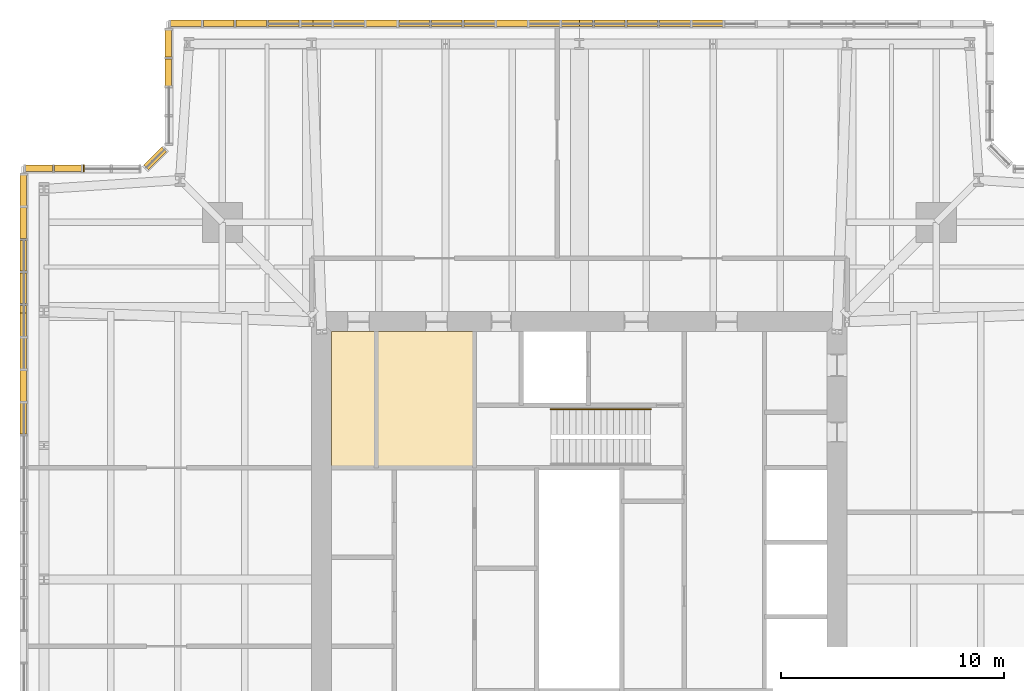
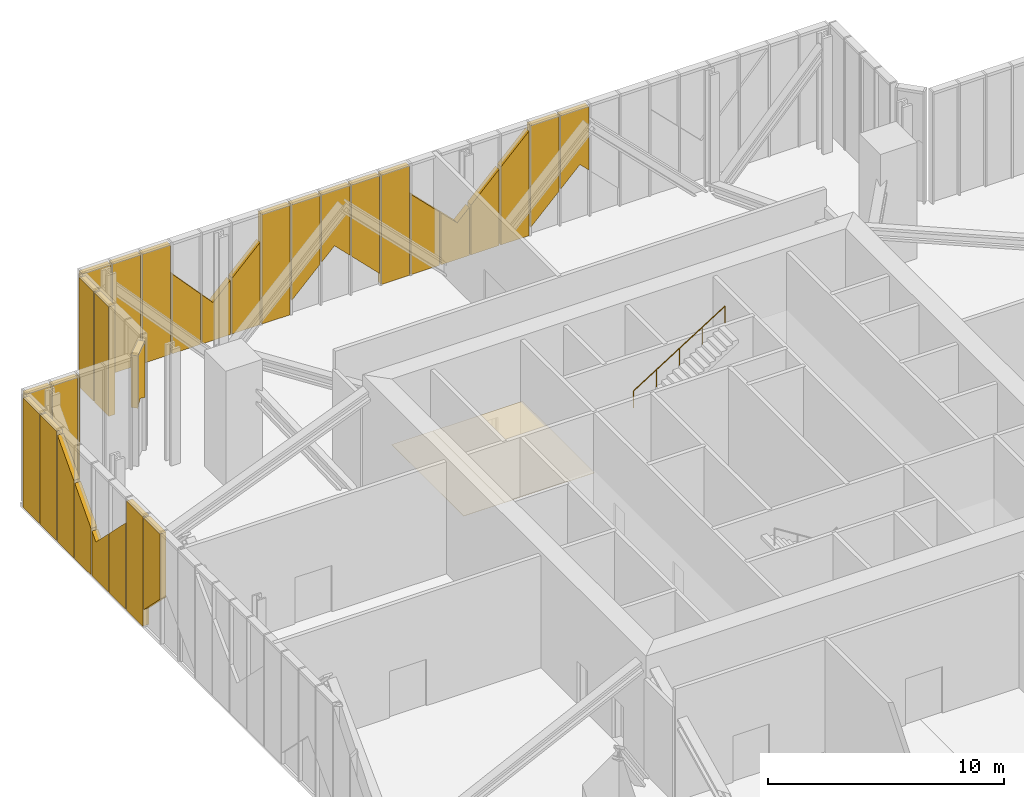
# One storey, part 17 of 18: 33 coverings, 1 railing.
"""IFC4 building model written with IfcOpenShell, lengths in metres."""

from ifc_helpers import new_model, si_unit, direction, frame, origin, origin_2d, place, context, subcontext, project, spatial, polyline, circle, outline, extrude, material, layer, layer_set, type_object, element, save


model = new_model("IFC4")

# Units and contexts
model_context = context("Model", 3, precision=1e-05, world=origin(), true_north=direction((0.0, 1.0)))
body_context = subcontext(model_context, "Body", "Model", "MODEL_VIEW")
ifc_project = project(units=[si_unit("LENGTHUNIT", "METRE"), si_unit("AREAUNIT", "SQUARE_METRE"), si_unit("VOLUMEUNIT", "CUBIC_METRE"), si_unit("PLANEANGLEUNIT", "RADIAN"), si_unit("MASSUNIT", "GRAM", prefix="KILO")], contexts=[model_context])

# Site, building, storey
site_placement = place(None, origin())
site = spatial("IfcSite", under=ifc_project, at=site_placement, CompositionType="ELEMENT")
building_placement = place(site_placement, origin())
building = spatial("IfcBuilding", under=site, at=building_placement, Name="Fenwick Lantern Interchange", CompositionType="ELEMENT")
storey_placement = place(building_placement, frame((0.0, 0.0, 301.800048828125)))
storey = spatial("IfcBuildingStorey", under=building, at=storey_placement, Name="L73", CompositionType="ELEMENT", Elevation=301.800048828125)

# Coverings
ifc_material_1 = material(Name="Granite cladding, warm grey flamed finish, on aluminium carrier frame", Category="masonry")
ifc_layer_1 = layer(ifc_material_1, 0.300048828125)
ifc_layer_set_1 = layer_set([ifc_layer_1], Name="BRACE CASING PANEL 300")
covering_type_1 = type_object("IfcCoveringType", Name="BRACE CASING PANEL 300", PredefinedType="CLADDING", material=ifc_layer_set_1)
covering_1_placement = place(storey_placement, frame((43.39990234375, 49.89990234375, 1.857177734375), z_axis=(0.0, 0.0, 1.0), x_axis=(-1.0, 0.0, 0.0)))
element("IfcCovering", 1, at=covering_1_placement, inside=storey, type_object=covering_type_1, Name="Brace casing 09 bay 08a", PredefinedType="CLADDING", context=body_context, shape_type="SweptSolid", body=[
    extrude(outline(polyline([(13.34716796875, 0.0), (13.34716796875, 3.802734375), (11.96630859375, 3.802734375), (11.96630859375, 0.513671875), (12.39990234375, 0.947265625), (13.34716796875, 0.0)])), frame((0.0, 0.125, 0.0), z_axis=(0.0, -1.0, 0.0), x_axis=(1.0, 0.0, 0.0)), (0.0, 0.0, 1.0), 0.300048828125),
])
covering_2_placement = place(storey_placement, frame((43.39990234375, 49.89990234375, 0.396484375), z_axis=(0.0, 0.0, 1.0), x_axis=(-1.0, 0.0, 0.0)))
element("IfcCovering", 2, at=covering_2_placement, inside=storey, type_object=covering_type_1, Name="Brace casing 09 bay 09a", PredefinedType="CLADDING", context=body_context, shape_type="SweptSolid", body=[
    extrude(outline(polyline([(14.80810546875, 0.0), (14.80810546875, 5.263427734375), (13.42724609375, 5.263427734375), (13.42724609375, 1.380615234375), (14.80810546875, 0.0)])), frame((0.0, 0.125, 0.0), z_axis=(0.0, -1.0, 0.0), x_axis=(1.0, 0.0, 0.0)), (0.0, 0.0, 1.0), 0.300048828125),
])
covering_3_placement = place(storey_placement, frame((43.39990234375, 49.89990234375, 0.0), z_axis=(0.0, 0.0, 1.0), x_axis=(-1.0, 0.0, 0.0)))
element("IfcCovering", 3, at=covering_3_placement, inside=storey, type_object=covering_type_1, Name="Brace casing 09 bay 10a", PredefinedType="CLADDING", context=body_context, shape_type="SweptSolid", body=[
    extrude(outline(polyline([(14.887939453125, 0.0), (16.268798828125, 0.0), (16.268798828125, 4.026611328125), (14.887939453125, 5.407470703125), (14.887939453125, 0.0)])), frame((0.0, 0.125, 0.0), z_axis=(0.0, -1.0, 0.0), x_axis=(1.0, 0.0, 0.0)), (0.0, 0.0, 1.0), 0.300048828125),
])
covering_4_placement = place(storey_placement, frame((43.39990234375, 49.89990234375, 0.0), z_axis=(0.0, 0.0, 1.0), x_axis=(-1.0, 0.0, 0.0)))
element("IfcCovering", 4, at=covering_4_placement, inside=storey, type_object=covering_type_1, Name="Brace casing 09 bay 11a", PredefinedType="CLADDING", context=body_context, shape_type="SweptSolid", body=[
    extrude(outline(polyline([(16.348876953125, 0.0), (17.7294921875, 0.0), (17.7294921875, 2.56591796875), (16.348876953125, 3.94677734375), (16.348876953125, 0.0)])), frame((0.0, 0.125, 0.0), z_axis=(0.0, -1.0, 0.0), x_axis=(1.0, 0.0, 0.0)), (0.0, 0.0, 1.0), 0.300048828125),
])
covering_5_placement = place(storey_placement, frame((43.39990234375, 49.89990234375, 0.0), z_axis=(0.0, 0.0, 1.0), x_axis=(-1.0, 0.0, 0.0)))
element("IfcCovering", 5, at=covering_5_placement, inside=storey, type_object=covering_type_1, Name="Brace casing 09 bay 12a", PredefinedType="CLADDING", context=body_context, shape_type="SweptSolid", body=[
    extrude(outline(polyline([(17.8095703125, 0.0), (19.1904296875, 0.0), (19.1904296875, 2.68603515625), (18.39990234375, 1.8955078125), (17.8095703125, 2.48583984375), (17.8095703125, 0.0)])), frame((0.0, 0.125, 0.0), z_axis=(0.0, -1.0, 0.0), x_axis=(1.0, 0.0, 0.0)), (0.0, 0.0, 1.0), 0.300048828125),
])
covering_6_placement = place(storey_placement, frame((43.39990234375, 49.89990234375, 0.0), z_axis=(0.0, 0.0, 1.0), x_axis=(-1.0, 0.0, 0.0)))
element("IfcCovering", 6, at=covering_6_placement, inside=storey, type_object=covering_type_1, Name="Brace casing 09 bay 13a", PredefinedType="CLADDING", context=body_context, shape_type="SweptSolid", body=[
    extrude(outline(polyline([(19.2705078125, 0.0), (20.651123046875, 0.0), (20.651123046875, 4.146728515625), (19.2705078125, 2.765869140625), (19.2705078125, 0.0)])), frame((0.0, 0.125, 0.0), z_axis=(0.0, -1.0, 0.0), x_axis=(1.0, 0.0, 0.0)), (0.0, 0.0, 1.0), 0.300048828125),
])
covering_7_placement = place(storey_placement, frame((43.39990234375, 49.89990234375, 0.0), z_axis=(0.0, 0.0, 1.0), x_axis=(-1.0, 0.0, 0.0)))
element("IfcCovering", 7, at=covering_7_placement, inside=storey, type_object=covering_type_1, Name="Brace casing 09 bay 14a", PredefinedType="CLADDING", context=body_context, shape_type="SweptSolid", body=[
    extrude(outline(polyline([(20.731201171875, 0.0), (22.112060546875, 0.0), (22.112060546875, 5.659912109375), (20.731201171875, 5.659912109375), (20.731201171875, 0.0)])), frame((0.0, 0.125, 0.0), z_axis=(0.0, -1.0, 0.0), x_axis=(1.0, 0.0, 0.0)), (0.0, 0.0, 1.0), 0.300048828125),
])
covering_8_placement = place(storey_placement, frame((43.39990234375, 49.89990234375, 0.596435546875), z_axis=(0.0, 0.0, 1.0), x_axis=(-1.0, 0.0, 0.0)))
element("IfcCovering", 8, at=covering_8_placement, inside=storey, type_object=covering_type_1, Name="Brace casing 09 bay 15a", PredefinedType="CLADDING", context=body_context, shape_type="SweptSolid", body=[
    extrude(outline(polyline([(22.19189453125, 0.0), (23.57275390625, 1.380859375), (23.57275390625, 5.0634765625), (22.19189453125, 5.0634765625), (22.19189453125, 0.0)])), frame((0.0, 0.125, 0.0), z_axis=(0.0, -1.0, 0.0), x_axis=(1.0, 0.0, 0.0)), (0.0, 0.0, 1.0), 0.300048828125),
])
covering_9_placement = place(storey_placement, frame((43.39990234375, 49.89990234375, 2.05712890625), z_axis=(0.0, 0.0, 1.0), x_axis=(-1.0, 0.0, 0.0)))
element("IfcCovering", 9, at=covering_9_placement, inside=storey, type_object=covering_type_1, Name="Brace casing 09 bay 16a", PredefinedType="CLADDING", context=body_context, shape_type="SweptSolid", body=[
    extrude(outline(polyline([(23.65283203125, 0.0), (24.39990234375, 0.747314453125), (25.03369140625, 0.11376953125), (25.03369140625, 3.602783203125), (23.65283203125, 3.602783203125), (23.65283203125, 0.0)])), frame((0.0, 0.125, 0.0), z_axis=(0.0, -1.0, 0.0), x_axis=(1.0, 0.0, 0.0)), (0.0, 0.0, 1.0), 0.300048828125),
])
covering_10_placement = place(storey_placement, frame((43.39990234375, 49.89990234375, 0.7099609375), z_axis=(0.0, 0.0, 1.0), x_axis=(-1.0, 0.0, 0.0)))
element("IfcCovering", 10, at=covering_10_placement, inside=storey, type_object=covering_type_1, Name="Brace casing 09 bay 17a", PredefinedType="CLADDING", context=body_context, shape_type="SweptSolid", body=[
    extrude(outline(polyline([(26.494384765625, 0.0), (26.494384765625, 4.949951171875), (25.113525390625, 4.949951171875), (25.113525390625, 1.380859375), (26.494384765625, 0.0)])), frame((0.0, 0.125, 0.0), z_axis=(0.0, -1.0, 0.0), x_axis=(1.0, 0.0, 0.0)), (0.0, 0.0, 1.0), 0.300048828125),
])
covering_11_placement = place(storey_placement, frame((43.39990234375, 49.89990234375, 0.0), z_axis=(0.0, 0.0, 1.0), x_axis=(-1.0, 0.0, 0.0)))
element("IfcCovering", 11, at=covering_11_placement, inside=storey, type_object=covering_type_1, Name="Brace casing 09 bay 18a", PredefinedType="CLADDING", context=body_context, shape_type="SweptSolid", body=[
    extrude(outline(polyline([(26.574462890625, 0.0), (27.955078125, 0.0), (27.955078125, 5.659912109375), (26.574462890625, 5.659912109375), (26.574462890625, 0.0)])), frame((0.0, 0.125, 0.0), z_axis=(0.0, -1.0, 0.0), x_axis=(1.0, 0.0, 0.0)), (0.0, 0.0, 1.0), 0.300048828125),
])
covering_12_placement = place(storey_placement, frame((43.39990234375, 49.89990234375, 0.0), z_axis=(0.0, 0.0, 1.0), x_axis=(-1.0, 0.0, 0.0)))
element("IfcCovering", 12, at=covering_12_placement, inside=storey, type_object=covering_type_1, Name="Brace casing 09 bay 19a", PredefinedType="CLADDING", context=body_context, shape_type="SweptSolid", body=[
    extrude(outline(polyline([(28.03515625, 0.0), (29.416015625, 0.0), (29.416015625, 2.879638671875), (28.03515625, 4.26025390625), (28.03515625, 0.0)])), frame((0.0, 0.125, 0.0), z_axis=(0.0, -1.0, 0.0), x_axis=(1.0, 0.0, 0.0)), (0.0, 0.0, 1.0), 0.300048828125),
])
covering_13_placement = place(storey_placement, frame((43.39990234375, 49.89990234375, 0.0), z_axis=(0.0, 0.0, 1.0), x_axis=(-1.0, 0.0, 0.0)))
element("IfcCovering", 13, at=covering_13_placement, inside=storey, type_object=covering_type_1, Name="Brace casing 09 bay 20a", PredefinedType="CLADDING", context=body_context, shape_type="SweptSolid", body=[
    extrude(outline(polyline([(29.49609375, 0.0), (30.876708984375, 0.0), (30.876708984375, 2.533935546875), (30.343505859375, 1.9521484375), (29.49609375, 2.799560546875), (29.49609375, 0.0)])), frame((0.0, 0.125, 0.0), z_axis=(0.0, -1.0, 0.0), x_axis=(1.0, 0.0, 0.0)), (0.0, 0.0, 1.0), 0.300048828125),
])
covering_14_placement = place(storey_placement, frame((43.39990234375, 49.89990234375, 0.0), z_axis=(0.0, 0.0, 1.0), x_axis=(-1.0, 0.0, 0.0)))
element("IfcCovering", 14, at=covering_14_placement, inside=storey, type_object=covering_type_1, Name="Brace casing 09 bay 21a", PredefinedType="CLADDING", context=body_context, shape_type="SweptSolid", body=[
    extrude(outline(polyline([(30.956787109375, 0.0), (32.337646484375, 0.0), (32.337646484375, 4.12744140625), (30.956787109375, 2.62109375), (30.956787109375, 0.0)])), frame((0.0, 0.125, 0.0), z_axis=(0.0, -1.0, 0.0), x_axis=(1.0, 0.0, 0.0)), (0.0, 0.0, 1.0), 0.300048828125),
])
covering_15_placement = place(storey_placement, frame((43.39990234375, 49.89990234375, 0.0), z_axis=(0.0, 0.0, 1.0), x_axis=(-1.0, 0.0, 0.0)))
element("IfcCovering", 15, at=covering_15_placement, inside=storey, type_object=covering_type_1, Name="Brace casing 09 bay 22a", PredefinedType="CLADDING", context=body_context, shape_type="SweptSolid", body=[
    extrude(outline(polyline([(32.41748046875, 0.0), (33.79833984375, 0.0), (33.79833984375, 5.659912109375), (32.41748046875, 5.659912109375), (32.41748046875, 0.0)])), frame((0.0, 0.125, 0.0), z_axis=(0.0, -1.0, 0.0), x_axis=(1.0, 0.0, 0.0)), (0.0, 0.0, 1.0), 0.300048828125),
])
covering_16_placement = place(storey_placement, frame((43.39990234375, 49.89990234375, 0.0), z_axis=(0.0, 0.0, 1.0), x_axis=(-1.0, 0.0, 0.0)))
element("IfcCovering", 16, at=covering_16_placement, inside=storey, type_object=covering_type_1, Name="Brace casing 09 bay 23a", PredefinedType="CLADDING", context=body_context, shape_type="SweptSolid", body=[
    extrude(outline(polyline([(33.87841796875, 0.0), (35.25927734375, 0.0), (35.25927734375, 5.659912109375), (33.87841796875, 5.659912109375), (33.87841796875, 0.0)])), frame((0.0, 0.125, 0.0), z_axis=(0.0, -1.0, 0.0), x_axis=(1.0, 0.0, 0.0)), (0.0, 0.0, 1.0), 0.300048828125),
])
covering_17_placement = place(storey_placement, frame((43.39990234375, 49.89990234375, 0.0), z_axis=(0.0, 0.0, 1.0), x_axis=(-1.0, 0.0, 0.0)))
element("IfcCovering", 17, at=covering_17_placement, inside=storey, type_object=covering_type_1, Name="Brace casing 09 bay 24a", PredefinedType="CLADDING", context=body_context, shape_type="SweptSolid", body=[
    extrude(outline(polyline([(35.339111328125, 0.0), (36.719970703125, 0.0), (36.719970703125, 5.659912109375), (35.339111328125, 5.659912109375), (35.339111328125, 0.0)])), frame((0.0, 0.125, 0.0), z_axis=(0.0, -1.0, 0.0), x_axis=(1.0, 0.0, 0.0)), (0.0, 0.0, 1.0), 0.300048828125),
])
covering_18_placement = place(storey_placement, frame((6.60009765625, 49.89990234375, 0.0), z_axis=(0.0, 0.0, 1.0), x_axis=(0.0, -1.0, 0.0)))
element("IfcCovering", 18, at=covering_18_placement, inside=storey, type_object=covering_type_1, Name="Brace casing 10 bay 00a", PredefinedType="CLADDING", context=body_context, shape_type="SweptSolid", body=[
    extrude(outline(polyline([(0.280029296875, 0.0), (1.490234375, 0.0), (1.490234375, 5.659912109375), (0.280029296875, 5.659912109375), (0.280029296875, 0.0)])), frame((0.0, 0.125, 0.0), z_axis=(0.0, -1.0, 0.0), x_axis=(1.0, 0.0, 0.0)), (0.0, 0.0, 1.0), 0.300048828125),
])
covering_19_placement = place(storey_placement, frame((6.60009765625, 49.89990234375, 0.0), z_axis=(0.0, 0.0, 1.0), x_axis=(0.0, -1.0, 0.0)))
element("IfcCovering", 19, at=covering_19_placement, inside=storey, type_object=covering_type_1, Name="Brace casing 10 bay 01a", PredefinedType="CLADDING", context=body_context, shape_type="SweptSolid", body=[
    extrude(outline(polyline([(1.5703125, 0.0), (2.78076171875, 0.0), (2.78076171875, 5.659912109375), (1.5703125, 5.659912109375), (1.5703125, 0.0)])), frame((0.0, 0.125, 0.0), z_axis=(0.0, -1.0, 0.0), x_axis=(1.0, 0.0, 0.0)), (0.0, 0.0, 1.0), 0.300048828125),
])
covering_20_placement = place(storey_placement, frame((6.60009765625, 44.45849609375, 2.746337890625), z_axis=(0.0, 0.0, 1.0), x_axis=(-0.707106781187, -0.707106781187, 0.0)))
element("IfcCovering", 20, at=covering_20_placement, inside=storey, type_object=covering_type_1, Name="Brace casing 11 bay 00a", PredefinedType="CLADDING", context=body_context, shape_type="SweptSolid", body=[
    extrude(outline(polyline([(0.280029296875, 0.0), (1.03076171875, 0.4541015625), (1.4169921875, 0.2021484375), (1.4169921875, 2.91357421875), (0.280029296875, 2.91357421875), (0.280029296875, 0.0)])), frame((0.0, 0.125, 0.0), z_axis=(0.0, -1.0, 0.0), x_axis=(1.0, 0.0, 0.0)), (0.0, 0.0, 1.0), 0.300048828125),
])
covering_21_placement = place(storey_placement, frame((5.54150390625, 43.39990234375, 0.0), z_axis=(0.0, 0.0, 1.0), x_axis=(-1.0, 0.0, 0.0)))
element("IfcCovering", 21, at=covering_21_placement, inside=storey, type_object=covering_type_1, Name="Brace casing 12 bay 01a", PredefinedType="CLADDING", context=body_context, shape_type="SweptSolid", body=[
    extrude(outline(polyline([(2.741455078125, 0.0), (2.78076171875, 0.0), (2.78076171875, 5.659912109375), (2.741455078125, 5.659912109375), (2.741455078125, 0.0)])), frame((0.0, 0.125, 0.0), z_axis=(0.0, -1.0, 0.0), x_axis=(1.0, 0.0, 0.0)), (0.0, 0.0, 1.0), 0.300048828125),
])
covering_22_placement = place(storey_placement, frame((5.54150390625, 43.39990234375, 0.0), z_axis=(0.0, 0.0, 1.0), x_axis=(-1.0, 0.0, 0.0)))
element("IfcCovering", 22, at=covering_22_placement, inside=storey, type_object=covering_type_1, Name="Brace casing 12 bay 02a", PredefinedType="CLADDING", context=body_context, shape_type="SweptSolid", body=[
    extrude(outline(polyline([(2.860595703125, 0.0), (4.071044921875, 0.0), (4.071044921875, 5.659912109375), (2.860595703125, 5.659912109375), (2.860595703125, 0.0)])), frame((0.0, 0.125, 0.0), z_axis=(0.0, -1.0, 0.0), x_axis=(1.0, 0.0, 0.0)), (0.0, 0.0, 1.0), 0.300048828125),
])
covering_23_placement = place(storey_placement, frame((5.54150390625, 43.39990234375, 0.0), z_axis=(0.0, 0.0, 1.0), x_axis=(-1.0, 0.0, 0.0)))
element("IfcCovering", 23, at=covering_23_placement, inside=storey, type_object=covering_type_1, Name="Brace casing 12 bay 03a", PredefinedType="CLADDING", context=body_context, shape_type="SweptSolid", body=[
    extrude(outline(polyline([(4.151123046875, 0.0), (5.361328125, 0.0), (5.361328125, 5.659912109375), (4.151123046875, 5.659912109375), (4.151123046875, 0.0)])), frame((0.0, 0.125, 0.0), z_axis=(0.0, -1.0, 0.0), x_axis=(1.0, 0.0, 0.0)), (0.0, 0.0, 1.0), 0.300048828125),
])
covering_24_placement = place(storey_placement, frame((0.10009765625, 43.39990234375, 0.0), z_axis=(0.0, 0.0, 1.0), x_axis=(0.0, -1.0, 0.0)))
element("IfcCovering", 24, at=covering_24_placement, inside=storey, type_object=covering_type_1, Name="Brace casing 13 bay 00a", PredefinedType="CLADDING", context=body_context, shape_type="SweptSolid", body=[
    extrude(outline(polyline([(0.280029296875, 0.0), (1.660888671875, 0.0), (1.660888671875, 5.659912109375), (0.280029296875, 5.659912109375), (0.280029296875, 0.0)])), frame((0.0, 0.125, 0.0), z_axis=(0.0, -1.0, 0.0), x_axis=(1.0, 0.0, 0.0)), (0.0, 0.0, 1.0), 0.300048828125),
])
covering_25_placement = place(storey_placement, frame((0.10009765625, 43.39990234375, 0.0), z_axis=(0.0, 0.0, 1.0), x_axis=(0.0, -1.0, 0.0)))
element("IfcCovering", 25, at=covering_25_placement, inside=storey, type_object=covering_type_1, Name="Brace casing 13 bay 01a", PredefinedType="CLADDING", context=body_context, shape_type="SweptSolid", body=[
    extrude(outline(polyline([(1.74072265625, 0.0), (3.12158203125, 0.0), (3.12158203125, 5.659912109375), (1.74072265625, 5.659912109375), (1.74072265625, 0.0)])), frame((0.0, 0.125, 0.0), z_axis=(0.0, -1.0, 0.0), x_axis=(1.0, 0.0, 0.0)), (0.0, 0.0, 1.0), 0.300048828125),
])
covering_26_placement = place(storey_placement, frame((0.10009765625, 43.39990234375, 0.0), z_axis=(0.0, 0.0, 1.0), x_axis=(0.0, -1.0, 0.0)))
element("IfcCovering", 26, at=covering_26_placement, inside=storey, type_object=covering_type_1, Name="Brace casing 13 bay 02a", PredefinedType="CLADDING", context=body_context, shape_type="SweptSolid", body=[
    extrude(outline(polyline([(3.20166015625, 0.0), (4.58251953125, 0.0), (4.58251953125, 3.99658203125), (3.20166015625, 5.5029296875), (3.20166015625, 0.0)])), frame((0.0, 0.125, 0.0), z_axis=(0.0, -1.0, 0.0), x_axis=(1.0, 0.0, 0.0)), (0.0, 0.0, 1.0), 0.300048828125),
])
covering_27_placement = place(storey_placement, frame((0.10009765625, 43.39990234375, 0.0), z_axis=(0.0, 0.0, 1.0), x_axis=(0.0, -1.0, 0.0)))
element("IfcCovering", 27, at=covering_27_placement, inside=storey, type_object=covering_type_1, Name="Brace casing 13 bay 03a", PredefinedType="CLADDING", context=body_context, shape_type="SweptSolid", body=[
    extrude(outline(polyline([(4.662353515625, 0.0), (6.043212890625, 0.0), (6.043212890625, 2.403076171875), (4.662353515625, 3.909423828125), (4.662353515625, 0.0)])), frame((0.0, 0.125, 0.0), z_axis=(0.0, -1.0, 0.0), x_axis=(1.0, 0.0, 0.0)), (0.0, 0.0, 1.0), 0.300048828125),
])
covering_28_placement = place(storey_placement, frame((0.10009765625, 43.39990234375, 0.0), z_axis=(0.0, 0.0, 1.0), x_axis=(0.0, -1.0, 0.0)))
element("IfcCovering", 28, at=covering_28_placement, inside=storey, type_object=covering_type_1, Name="Brace casing 13 bay 04a", PredefinedType="CLADDING", context=body_context, shape_type="SweptSolid", body=[
    extrude(outline(polyline([(6.123291015625, 0.0), (7.50390625, 0.0), (7.50390625, 2.99951171875), (6.45654296875, 1.9521484375), (6.123291015625, 2.315673828125), (6.123291015625, 0.0)])), frame((0.0, 0.125, 0.0), z_axis=(0.0, -1.0, 0.0), x_axis=(1.0, 0.0, 0.0)), (0.0, 0.0, 1.0), 0.300048828125),
])
covering_29_placement = place(storey_placement, frame((0.10009765625, 43.39990234375, 0.0), z_axis=(0.0, 0.0, 1.0), x_axis=(0.0, -1.0, 0.0)))
element("IfcCovering", 29, at=covering_29_placement, inside=storey, type_object=covering_type_1, Name="Brace casing 13 bay 05a", PredefinedType="CLADDING", context=body_context, shape_type="SweptSolid", body=[
    extrude(outline(polyline([(7.583984375, 0.0), (8.96484375, 0.0), (8.96484375, 4.460205078125), (7.583984375, 3.07958984375), (7.583984375, 0.0)])), frame((0.0, 0.125, 0.0), z_axis=(0.0, -1.0, 0.0), x_axis=(1.0, 0.0, 0.0)), (0.0, 0.0, 1.0), 0.300048828125),
])
covering_30_placement = place(storey_placement, frame((0.10009765625, 43.39990234375, 0.0), z_axis=(0.0, 0.0, 1.0), x_axis=(0.0, -1.0, 0.0)))
element("IfcCovering", 30, at=covering_30_placement, inside=storey, type_object=covering_type_1, Name="Brace casing 13 bay 06a", PredefinedType="CLADDING", context=body_context, shape_type="SweptSolid", body=[
    extrude(outline(polyline([(9.044921875, 0.0), (10.425537109375, 0.0), (10.425537109375, 5.659912109375), (9.044921875, 5.659912109375), (9.044921875, 0.0)])), frame((0.0, 0.125, 0.0), z_axis=(0.0, -1.0, 0.0), x_axis=(1.0, 0.0, 0.0)), (0.0, 0.0, 1.0), 0.300048828125),
])
covering_31_placement = place(storey_placement, frame((0.10009765625, 43.39990234375, 0.909912109375), z_axis=(0.0, 0.0, 1.0), x_axis=(0.0, -1.0, 0.0)))
element("IfcCovering", 31, at=covering_31_placement, inside=storey, type_object=covering_type_1, Name="Brace casing 13 bay 07a", PredefinedType="CLADDING", context=body_context, shape_type="SweptSolid", body=[
    extrude(outline(polyline([(10.505615234375, 0.0), (11.886474609375, 1.380859375), (11.886474609375, 4.75), (10.505615234375, 4.75), (10.505615234375, 0.0)])), frame((0.0, 0.125, 0.0), z_axis=(0.0, -1.0, 0.0), x_axis=(1.0, 0.0, 0.0)), (0.0, 0.0, 1.0), 0.300048828125),
])

# Railing
ifc_material_2 = material(Name="Stainless steel handrail", Category="steel")
railing_type = type_object("IfcRailingType", Name="HANDRAIL 900", PredefinedType="HANDRAIL", material=ifc_material_2)
railing_placement = place(storey_placement, frame((23.719970703125, 32.6259765625, 3.176513671875)))
element("IfcRailing", 32, at=railing_placement, inside=storey, type_object=railing_type, Name="L73/STAIR/ST2/HR2", PredefinedType="HANDRAIL", context=body_context, shape_type="SweptSolid", body=[
    extrude(circle(Radius=0.02392578125, at=origin_2d()), frame((0.0, 0.0, 0.8759765625), z_axis=(0.845997938375, 0.0, 0.533186166611), x_axis=(0.0, 1.0, 0.0)), (0.0, 0.0, 1.0), 5.29541015625),
    extrude(circle(Radius=0.02099609375, at=origin_2d()), origin(), (0.0, 0.0, 1.0), 0.851806640625),
    extrude(circle(Radius=0.02099609375, at=origin_2d()), frame((1.1201171875, 0.0, 0.705810546875)), (0.0, 0.0, 1.0), 0.851806640625),
    extrude(circle(Radius=0.02099609375, at=origin_2d()), frame((2.239990234375, 0.0, 1.41162109375)), (0.0, 0.0, 1.0), 0.851806640625),
    extrude(circle(Radius=0.02099609375, at=origin_2d()), frame((3.35986328125, 0.0, 2.11767578125)), (0.0, 0.0, 1.0), 0.851806640625),
    extrude(circle(Radius=0.02099609375, at=origin_2d()), frame((4.47998046875, 0.0, 2.823486328125)), (0.0, 0.0, 1.0), 0.851806640625),
])

# Coverings
ifc_material_3 = material(Name="Moisture resistant gypsum board on suspended frame, painted")
ifc_layer_2 = layer(ifc_material_3, 0.014892578125)
ifc_layer_set_2 = layer_set([ifc_layer_2], Name="MOISTURE RESISTANT CEILING 15")
covering_type_2 = type_object("IfcCoveringType", Name="MOISTURE RESISTANT CEILING 15", PredefinedType="CEILING", material=ifc_layer_set_2)
covering_32_placement = place(storey_placement, frame((0.0, 0.0, 2.599853515625)))
element("IfcCovering", 33, at=covering_32_placement, inside=storey, type_object=covering_type_2, Name="Women's WC ceiling", PredefinedType="CEILING", context=body_context, shape_type="SweptSolid", body=[
    extrude(outline(polyline([(20.300048828125, 36.10009765625), (15.89990234375, 36.10009765625), (15.89990234375, 30.0), (20.300048828125, 30.0), (20.300048828125, 36.10009765625)])), origin(), (0.0, 0.0, 1.0), 0.01513671875),
])
covering_33_placement = place(storey_placement, frame((0.0, 0.0, 2.599853515625)))
element("IfcCovering", 34, at=covering_33_placement, inside=storey, type_object=covering_type_2, Name="Men's WC ceiling", PredefinedType="CEILING", context=body_context, shape_type="SweptSolid", body=[
    extrude(outline(polyline([(15.89990234375, 36.10009765625), (13.89990234375, 36.10009765625), (13.89990234375, 30.0), (15.89990234375, 30.0), (15.89990234375, 36.10009765625)])), origin(), (0.0, 0.0, 1.0), 0.01513671875),
])

save(model, "model.ifc")
